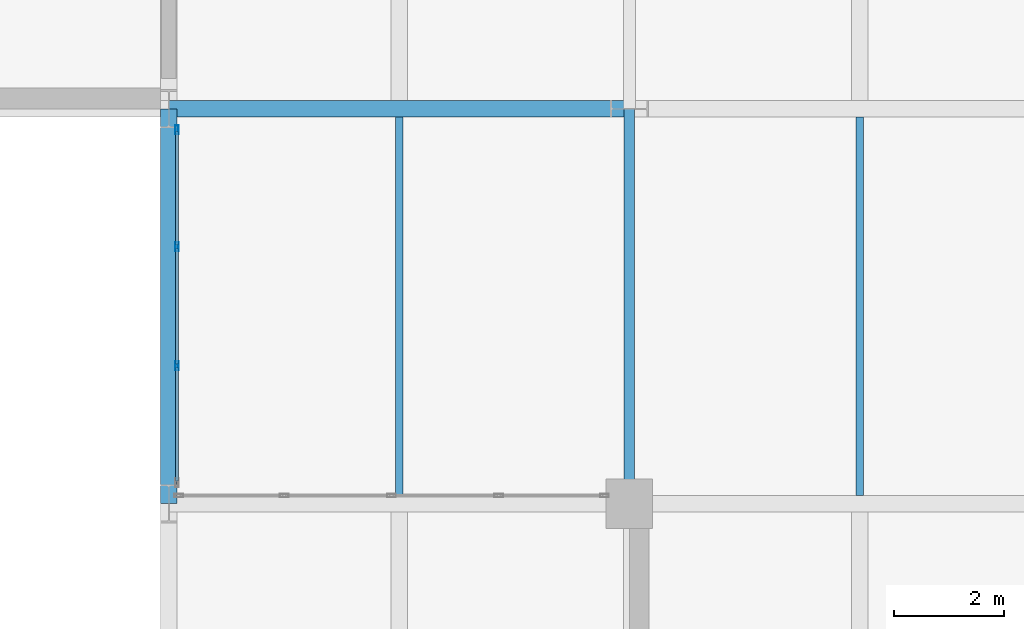
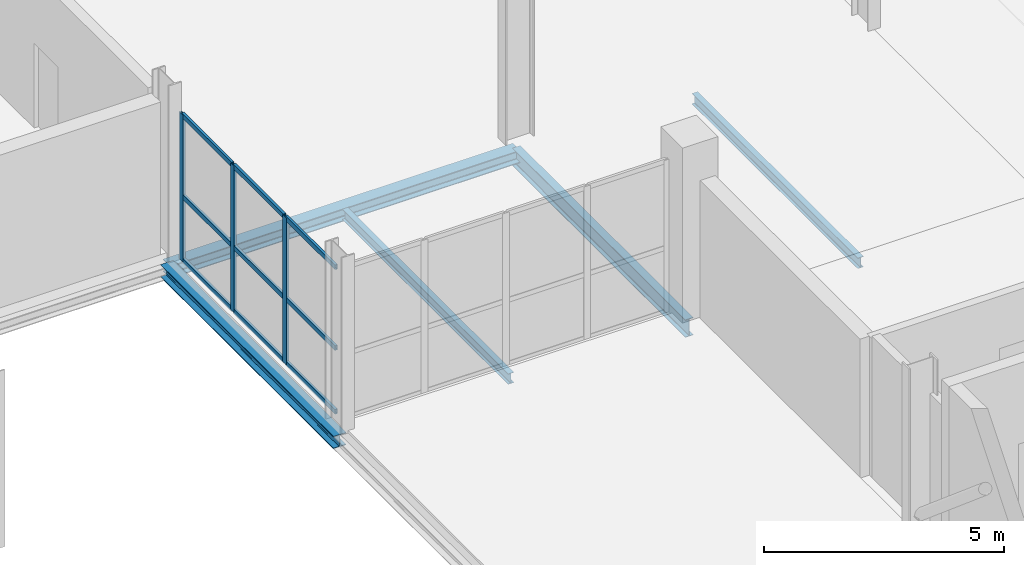
# One storey, part 16 of 113: 12 members, 5 beams, 1 element without a shape of its own.
"""IFC4 building model written with IfcOpenShell, lengths in metres."""

from ifc_helpers import new_model, si_unit, direction, frame, origin, origin_2d, place, context, subcontext, project, spatial, hollow_rectangle, i_section, extrude, material, material_profile, profile_set, type_object, element, aggregate, save


model = new_model("IFC4")

# Units and contexts
model_context = context("Model", 3, precision=1e-05, world=origin(), true_north=direction((0.0, 1.0)))
body_context = subcontext(model_context, "Body", "Model", "MODEL_VIEW")
ifc_project = project(units=[si_unit("LENGTHUNIT", "METRE"), si_unit("AREAUNIT", "SQUARE_METRE"), si_unit("VOLUMEUNIT", "CUBIC_METRE"), si_unit("PLANEANGLEUNIT", "RADIAN"), si_unit("MASSUNIT", "GRAM", prefix="KILO")], contexts=[model_context])

# Site, building, storey
site_placement = place(None, origin())
site = spatial("IfcSite", under=ifc_project, at=site_placement, CompositionType="ELEMENT")
building_placement = place(site_placement, origin())
building = spatial("IfcBuilding", under=site, at=building_placement, Name="Veltarok Museum of Natural Sciences", CompositionType="ELEMENT")
storey_placement = place(building_placement, frame((0.0, 0.0, 8.39990234375)))
storey = spatial("IfcBuildingStorey", under=building, at=storey_placement, Name="L01", CompositionType="ELEMENT", Elevation=8.39990234375)

# Curtain wall, members
ifc_material_1 = material(Name="Low-iron triple insulated glass", Category="glass")
curtain_wall_type = type_object("IfcCurtainWallType", Name="Curtain Wall System CW-PASW1-L01-3-650x373 (CW-PASW1 L01 650x373cm)", PredefinedType="NOTDEFINED", material=ifc_material_1)
curtain_wall_placement = place(storey_placement, origin())
curtain_wall = element("IfcCurtainWall", 1, at=curtain_wall_placement, inside=storey, type_object=curtain_wall_type, Name="Curtain Wall CW-PASW1-L01-3-650x373 CW-0211", PredefinedType="NOTDEFINED")
ifc_material_2 = material(Name="Thermally broken anodised aluminium", Category="aluminium")
ifc_material_profile_1 = material_profile(ifc_material_2, hollow_rectangle(XDim=0.06005859375, YDim=0.1201171875, WallThickness=0.0048828125, at=origin_2d()), Name="CW TRANSOM 60x120x5")
ifc_profile_set_1 = profile_set([ifc_material_profile_1], Name="Thermally broken anodised aluminium")
member_type_1 = type_object("IfcMemberType", Name="Curtain Wall Horizontal Transom 60x120x5", PredefinedType="USERDEFINED", material=ifc_profile_set_1)
member_1_placement = place(storey_placement, frame((23.35009765625, 19.610107421875, 0.028076171875), z_axis=(0.0, 1.0, 0.0), x_axis=(-1.0, 0.0, 0.0)))
member_1 = element("IfcMember", 2, at=member_1_placement, type_object=member_type_1, Name="CW-PASW1-L01-3-650x373 transom 1.1", ObjectType="TRANSOM", PredefinedType="USERDEFINED", context=body_context, shape_type="SweptSolid", body=[
    extrude(hollow_rectangle(XDim=0.06005859375, YDim=0.1201171875, WallThickness=0.0048828125, at=origin_2d()), origin(), (0.0, 0.0, 1.0), 2.07666015625),
])
member_2_placement = place(storey_placement, frame((23.35009765625, 19.610107421875, 1.648193359375), z_axis=(0.0, 1.0, 0.0), x_axis=(-1.0, 0.0, 0.0)))
member_2 = element("IfcMember", 3, at=member_2_placement, type_object=member_type_1, Name="CW-PASW1-L01-3-650x373 transom 1.2", ObjectType="TRANSOM", PredefinedType="USERDEFINED", context=body_context, shape_type="SweptSolid", body=[
    extrude(hollow_rectangle(XDim=0.06005859375, YDim=0.1201171875, WallThickness=0.0048828125, at=origin_2d()), origin(), (0.0, 0.0, 1.0), 2.07666015625),
])
member_3_placement = place(storey_placement, frame((23.35009765625, 19.610107421875, 3.7001953125), z_axis=(0.0, 1.0, 0.0), x_axis=(-1.0, 0.0, 0.0)))
member_3 = element("IfcMember", 4, at=member_3_placement, type_object=member_type_1, Name="CW-PASW1-L01-3-650x373 transom 1.3", ObjectType="TRANSOM", PredefinedType="USERDEFINED", context=body_context, shape_type="SweptSolid", body=[
    extrude(hollow_rectangle(XDim=0.06005859375, YDim=0.1201171875, WallThickness=0.0048828125, at=origin_2d()), origin(), (0.0, 0.0, 1.0), 2.07666015625),
])
member_4_placement = place(storey_placement, frame((23.35009765625, 21.74658203125, 0.028076171875), z_axis=(0.0, 1.0, 0.0), x_axis=(-1.0, 0.0, 0.0)))
member_4 = element("IfcMember", 5, at=member_4_placement, type_object=member_type_1, Name="CW-PASW1-L01-3-650x373 transom 2.1", ObjectType="TRANSOM", PredefinedType="USERDEFINED", context=body_context, shape_type="SweptSolid", body=[
    extrude(hollow_rectangle(XDim=0.06005859375, YDim=0.1201171875, WallThickness=0.0048828125, at=origin_2d()), origin(), (0.0, 0.0, 1.0), 2.106689453125),
])
member_5_placement = place(storey_placement, frame((23.35009765625, 21.74658203125, 1.648193359375), z_axis=(0.0, 1.0, 0.0), x_axis=(-1.0, 0.0, 0.0)))
member_5 = element("IfcMember", 6, at=member_5_placement, type_object=member_type_1, Name="CW-PASW1-L01-3-650x373 transom 2.2", ObjectType="TRANSOM", PredefinedType="USERDEFINED", context=body_context, shape_type="SweptSolid", body=[
    extrude(hollow_rectangle(XDim=0.06005859375, YDim=0.1201171875, WallThickness=0.0048828125, at=origin_2d()), origin(), (0.0, 0.0, 1.0), 2.106689453125),
])
member_6_placement = place(storey_placement, frame((23.35009765625, 21.74658203125, 3.7001953125), z_axis=(0.0, 1.0, 0.0), x_axis=(-1.0, 0.0, 0.0)))
member_6 = element("IfcMember", 7, at=member_6_placement, type_object=member_type_1, Name="CW-PASW1-L01-3-650x373 transom 2.3", ObjectType="TRANSOM", PredefinedType="USERDEFINED", context=body_context, shape_type="SweptSolid", body=[
    extrude(hollow_rectangle(XDim=0.06005859375, YDim=0.1201171875, WallThickness=0.0048828125, at=origin_2d()), origin(), (0.0, 0.0, 1.0), 2.106689453125),
])
member_7_placement = place(storey_placement, frame((23.35009765625, 23.913330078125, 0.028076171875), z_axis=(0.0, 1.0, 0.0), x_axis=(-1.0, 0.0, 0.0)))
member_7 = element("IfcMember", 8, at=member_7_placement, type_object=member_type_1, Name="CW-PASW1-L01-3-650x373 transom 3.1", ObjectType="TRANSOM", PredefinedType="USERDEFINED", context=body_context, shape_type="SweptSolid", body=[
    extrude(hollow_rectangle(XDim=0.06005859375, YDim=0.1201171875, WallThickness=0.0048828125, at=origin_2d()), origin(), (0.0, 0.0, 1.0), 2.07666015625),
])
member_8_placement = place(storey_placement, frame((23.35009765625, 23.913330078125, 1.648193359375), z_axis=(0.0, 1.0, 0.0), x_axis=(-1.0, 0.0, 0.0)))
member_8 = element("IfcMember", 9, at=member_8_placement, type_object=member_type_1, Name="CW-PASW1-L01-3-650x373 transom 3.2", ObjectType="TRANSOM", PredefinedType="USERDEFINED", context=body_context, shape_type="SweptSolid", body=[
    extrude(hollow_rectangle(XDim=0.06005859375, YDim=0.1201171875, WallThickness=0.0048828125, at=origin_2d()), origin(), (0.0, 0.0, 1.0), 2.07666015625),
])
member_9_placement = place(storey_placement, frame((23.35009765625, 23.913330078125, 3.7001953125), z_axis=(0.0, 1.0, 0.0), x_axis=(-1.0, 0.0, 0.0)))
member_9 = element("IfcMember", 10, at=member_9_placement, type_object=member_type_1, Name="CW-PASW1-L01-3-650x373 transom 3.3", ObjectType="TRANSOM", PredefinedType="USERDEFINED", context=body_context, shape_type="SweptSolid", body=[
    extrude(hollow_rectangle(XDim=0.06005859375, YDim=0.1201171875, WallThickness=0.0048828125, at=origin_2d()), origin(), (0.0, 0.0, 1.0), 2.07666015625),
])
ifc_material_profile_2 = material_profile(ifc_material_2, hollow_rectangle(XDim=0.06005859375, YDim=0.159912109375, WallThickness=0.0048828125, at=origin_2d()), Name="CW MULLION 60x160x5")
ifc_profile_set_2 = profile_set([ifc_material_profile_2], Name="Thermally broken anodised aluminium")
member_type_2 = type_object("IfcMemberType", Name="Curtain Wall Vertical Mullion 60x160x5", PredefinedType="MULLION", material=ifc_profile_set_2)
member_10_placement = place(storey_placement, frame((23.35009765625, 21.716552734375, -0.001953125), z_axis=(0.0, 0.0, 1.0), x_axis=(-1.0, 0.0, 0.0)))
member_10 = element("IfcMember", 11, at=member_10_placement, type_object=member_type_2, Name="CW-PASW1-L01-3-650x373 mullion 2", PredefinedType="MULLION", context=body_context, shape_type="SweptSolid", body=[
    extrude(hollow_rectangle(XDim=0.06005859375, YDim=0.159912109375, WallThickness=0.0048828125, at=origin_2d()), origin(), (0.0, 0.0, 1.0), 3.73193359375),
])
member_11_placement = place(storey_placement, frame((23.35009765625, 23.88330078125, -0.001953125), z_axis=(0.0, 0.0, 1.0), x_axis=(-1.0, 0.0, 0.0)))
member_11 = element("IfcMember", 12, at=member_11_placement, type_object=member_type_2, Name="CW-PASW1-L01-3-650x373 mullion 3", PredefinedType="MULLION", context=body_context, shape_type="SweptSolid", body=[
    extrude(hollow_rectangle(XDim=0.06005859375, YDim=0.159912109375, WallThickness=0.0048828125, at=origin_2d()), origin(), (0.0, 0.0, 1.0), 3.73193359375),
])
member_12_placement = place(storey_placement, frame((23.35009765625, 26.02001953125, -0.001953125), z_axis=(0.0, 0.0, 1.0), x_axis=(-1.0, 0.0, 0.0)))
member_12 = element("IfcMember", 13, at=member_12_placement, type_object=member_type_2, Name="CW-PASW1-L01-3-650x373 mullion 4", PredefinedType="MULLION", context=body_context, shape_type="SweptSolid", body=[
    extrude(hollow_rectangle(XDim=0.06005859375, YDim=0.159912109375, WallThickness=0.0048828125, at=origin_2d()), origin(), (0.0, 0.0, 1.0), 3.73193359375),
])
aggregate(curtain_wall, [member_10, member_11, member_12, member_1, member_2, member_3, member_4, member_5, member_6, member_7, member_8, member_9])

# Beams
ifc_material_3 = material(Name="Steel S355J2", Category="steel")
ifc_material_profile_3 = material_profile(ifc_material_3, i_section(OverallWidth=0.18994140625, OverallDepth=0.449951171875, WebThickness=0.009521484375, FlangeThickness=0.0146484375, FilletRadius=0.02099609375, at=origin_2d()), Name="IPE 450")
ifc_profile_set_3 = profile_set([ifc_material_profile_3], Name="Steel S355J2")
beam_type_1 = type_object("IfcBeamType", Name="Laboratory Floor Girder IPE 450", PredefinedType="BEAM", material=ifc_profile_set_3)
beam_1_placement = place(storey_placement, frame((31.60009765625, 19.199951171875, -0.474853515625), z_axis=(0.0, 1.0, 0.0), x_axis=(-1.0, 0.0, 0.0)))
element("IfcBeam", 14, at=beam_1_placement, inside=storey, type_object=beam_type_1, Name="Beam BM-G05 L01 4/C-D", PredefinedType="BEAM", context=body_context, shape_type="SweptSolid", body=[
    extrude(i_section(OverallWidth=0.18994140625, OverallDepth=0.449951171875, WebThickness=0.009521484375, FlangeThickness=0.0146484375, FilletRadius=0.02099609375, at=origin_2d()), origin(), (0.0, 0.0, 1.0), 7.199951171875),
])
ifc_material_profile_4 = material_profile(ifc_material_3, i_section(OverallWidth=0.300048828125, OverallDepth=0.320068359375, WebThickness=0.011474609375, FlangeThickness=0.0205078125, FilletRadius=0.027099609375, at=origin_2d()), Name="HEB 320")
ifc_profile_set_4 = profile_set([ifc_material_profile_4], Name="Steel S355J2")
beam_type_2 = type_object("IfcBeamType", Name="Perimeter Sawtooth Spandrel HEB 320", PredefinedType="SPANDREL", material=ifc_profile_set_4)
beam_2_placement = place(storey_placement, frame((23.199951171875, 26.39990234375, -0.409912109375), z_axis=(1.0, 0.0, 0.0), x_axis=(0.0, 1.0, 0.0)))
element("IfcBeam", 15, at=beam_2_placement, inside=storey, type_object=beam_type_2, Name="Beam BM-SP06 L01 3-4/D", PredefinedType="SPANDREL", context=body_context, shape_type="SweptSolid", body=[
    extrude(i_section(OverallWidth=0.300048828125, OverallDepth=0.320068359375, WebThickness=0.011474609375, FlangeThickness=0.0205078125, FilletRadius=0.027099609375, at=origin_2d()), origin(), (0.0, 0.0, 1.0), 8.400146484375),
])
beam_3_placement = place(storey_placement, frame((23.199951171875, 19.199951171875, -0.409912109375), z_axis=(0.0, 1.0, 0.0), x_axis=(-1.0, 0.0, 0.0)))
element("IfcBeam", 16, at=beam_3_placement, inside=storey, type_object=beam_type_2, Name="Beam BM-SP06 L01 3/C-D", PredefinedType="SPANDREL", context=body_context, shape_type="SweptSolid", body=[
    extrude(i_section(OverallWidth=0.300048828125, OverallDepth=0.320068359375, WebThickness=0.011474609375, FlangeThickness=0.0205078125, FilletRadius=0.027099609375, at=origin_2d()), origin(), (0.0, 0.0, 1.0), 7.199951171875),
])
ifc_material_profile_5 = material_profile(ifc_material_3, i_section(OverallWidth=0.135009765625, OverallDepth=0.27001953125, WebThickness=0.006591796875, FlangeThickness=0.01025390625, FilletRadius=0.014892578125, at=origin_2d()), Name="IPE 270")
ifc_profile_set_5 = profile_set([ifc_material_profile_5], Name="Steel S355J2")
beam_type_3 = type_object("IfcBeamType", Name="Short-Bay Composite Joist IPE 270", PredefinedType="JOIST", material=ifc_profile_set_5)
for number, where, z_axis, x_axis, name in (
    (17, (27.39990234375, 19.347900390625, -0.385009765625), (0.0, 1.0, 0.0), (-1.0, 0.0, 0.0), "Secondary Joist BM-J04 L01 3-4/C-D.1"),
    (18, (35.800048828125, 19.347900390625, -0.385009765625), (0.0, 1.0, 0.0), (-1.0, 0.0, 0.0), "Secondary Joist BM-J04 L01 4-5/C-D.1"),
):
    element("IfcBeam", number, at=place(storey_placement, frame(where, z_axis=z_axis, x_axis=x_axis)), inside=storey, type_object=beam_type_3, Name=name, PredefinedType="JOIST", context=body_context, shape_type="SweptSolid", body=[
        extrude(i_section(OverallWidth=0.135009765625, OverallDepth=0.27001953125, WebThickness=0.006591796875, FlangeThickness=0.01025390625, FilletRadius=0.014892578125, at=origin_2d()), origin(), (0.0, 0.0, 1.0), 6.904052734375),
    ])

save(model, "model.ifc")
